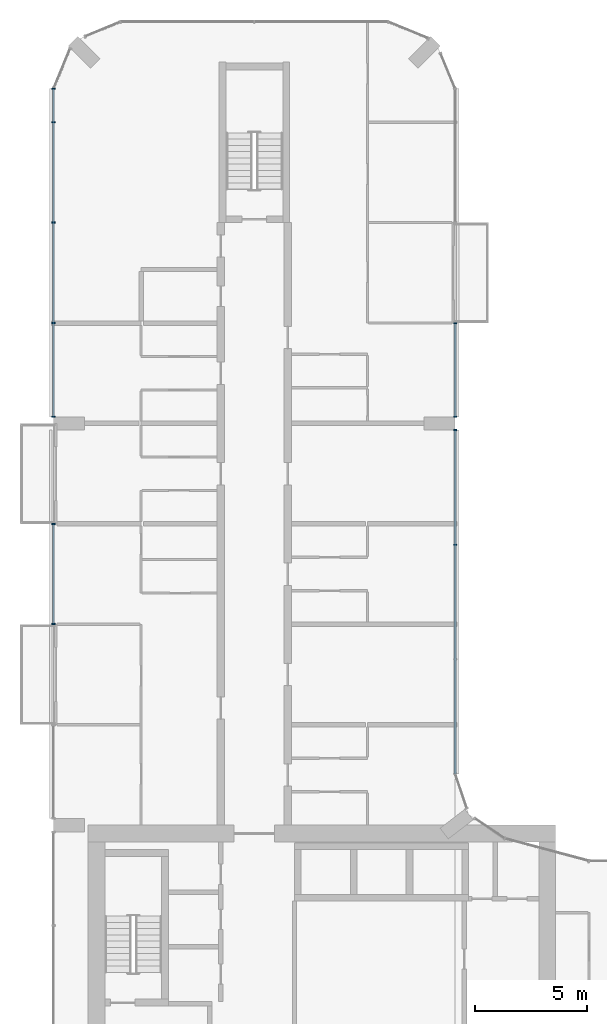
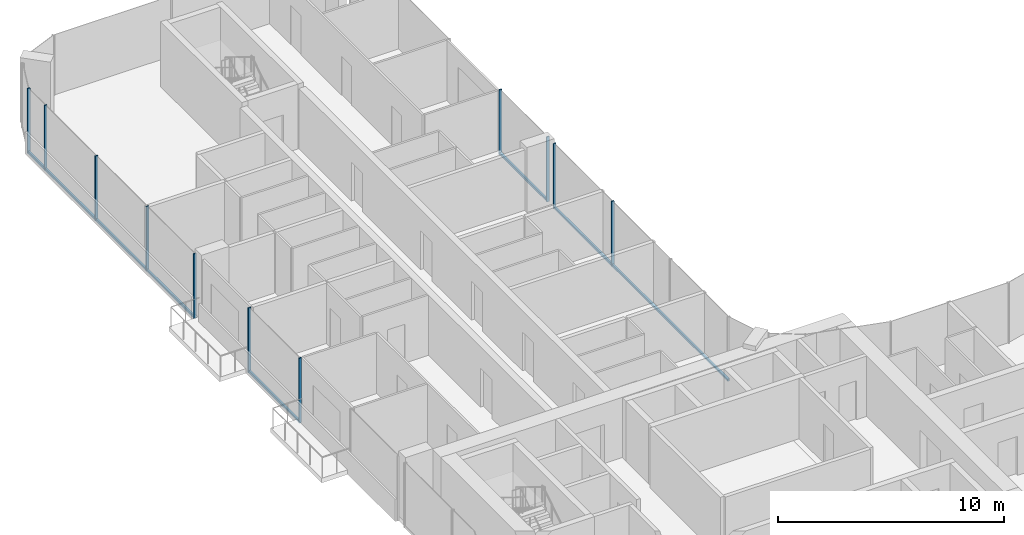
# One storey, part 6 of 24: 15 members, 4 elements without a shape of their own.
"""IFC4 building model written with IfcOpenShell, lengths in metres."""

from ifc_helpers import new_model, si_unit, direction, frame, origin, origin_2d, place, context, subcontext, project, spatial, rectangle, extrude, material, layer, layer_set, material_profile, profile_set, type_object, element, aggregate, save


model = new_model("IFC4")

# Units and contexts
model_context = context("Model", 3, precision=1e-05, world=origin(), true_north=direction((0.0, 1.0)))
body_context = subcontext(model_context, "Body", "Model", "MODEL_VIEW")
ifc_project = project(units=[si_unit("LENGTHUNIT", "METRE"), si_unit("AREAUNIT", "SQUARE_METRE"), si_unit("VOLUMEUNIT", "CUBIC_METRE"), si_unit("PLANEANGLEUNIT", "RADIAN"), si_unit("MASSUNIT", "GRAM", prefix="KILO")], contexts=[model_context])

# Site, building, storey
site_placement = place(None, origin())
site = spatial("IfcSite", under=ifc_project, at=site_placement, CompositionType="ELEMENT")
building_placement = place(site_placement, origin())
building = spatial("IfcBuilding", under=site, at=building_placement, Name="Plateau Cross Towers", CompositionType="ELEMENT")
storey_placement = place(building_placement, frame((0.0, 0.0, 44.300048828125)))
storey = spatial("IfcBuildingStorey", under=building, at=storey_placement, Name="L10", CompositionType="ELEMENT", Elevation=44.300048828125)

# Curtain wall, members
ifc_material_1 = material(Name="Dark low-iron glass", Category="glass")
ifc_layer = layer(ifc_material_1, 0.239990234375)
ifc_layer_set = layer_set([ifc_layer], Name="Dark low-iron glass")
curtain_wall_type = type_object("IfcCurtainWallType", Name="Curtain wall flush unitised CW-B", PredefinedType="NOTDEFINED", material=ifc_layer_set)
curtain_wall_1_placement = place(storey_placement, origin())
curtain_wall_1 = element("IfcCurtainWall", 1, at=curtain_wall_1_placement, inside=storey, type_object=curtain_wall_type, Name="ENV/A/L10/A180_203", PredefinedType="NOTDEFINED")
ifc_material_2 = material(Name="Black anodised aluminium", Category="aluminium")
ifc_material_profile_1 = material_profile(ifc_material_2, rectangle(XDim=0.06005859375, YDim=0.139892578125, at=origin_2d()), Name="MULLION 60x140")
ifc_profile_set_1 = profile_set([ifc_material_profile_1], Name="Black anodised aluminium")
member_type_1 = type_object("IfcMemberType", Name="Mullion 60x140 flush unitised", PredefinedType="MULLION", material=ifc_profile_set_1)
member_1_placement = place(storey_placement, frame((18.0, 30.5673828125, -0.25), z_axis=(0.0, 0.0, 1.0), x_axis=(0.0, 1.0, 0.0)))
member_1 = element("IfcMember", 2, at=member_1_placement, type_object=member_type_1, Name="CW-B mullion 3", PredefinedType="MULLION", context=body_context, shape_type="SweptSolid", body=[
    extrude(rectangle(XDim=0.06005859375, YDim=0.139892578125, at=origin_2d()), origin(), (0.0, 0.0, 1.0), 3.5),
])
member_2_placement = place(storey_placement, frame((18.0, 35.699951171875, -0.25), z_axis=(0.0, 0.0, 1.0), x_axis=(0.0, 1.0, 0.0)))
member_2 = element("IfcMember", 3, at=member_2_placement, type_object=member_type_1, Name="CW-B mullion 4", PredefinedType="MULLION", context=body_context, shape_type="SweptSolid", body=[
    extrude(rectangle(XDim=0.06005859375, YDim=0.139892578125, at=origin_2d()), origin(), (0.0, 0.0, 1.0), 3.5),
])

curtain_wall_2_placement = place(storey_placement, origin())
curtain_wall_2 = element("IfcCurtainWall", 4, at=curtain_wall_2_placement, inside=storey, type_object=curtain_wall_type, Name="ENV/A/L10/A180_363", PredefinedType="NOTDEFINED")
member_3_placement = place(storey_placement, frame((18.0, 36.300048828125, -0.25), z_axis=(0.0, 0.0, 1.0), x_axis=(0.0, 1.0, 0.0)))
member_3 = element("IfcMember", 5, at=member_3_placement, type_object=member_type_1, Name="CW-B mullion 1", PredefinedType="MULLION", context=body_context, shape_type="SweptSolid", body=[
    extrude(rectangle(XDim=0.06005859375, YDim=0.139892578125, at=origin_2d()), origin(), (0.0, 0.0, 1.0), 3.5),
])
member_4_placement = place(storey_placement, frame((18.0, 40.489990234375, -0.25), z_axis=(0.0, 0.0, 1.0), x_axis=(0.0, 1.0, 0.0)))
member_4 = element("IfcMember", 6, at=member_4_placement, type_object=member_type_1, Name="CW-B mullion 2", PredefinedType="MULLION", context=body_context, shape_type="SweptSolid", body=[
    extrude(rectangle(XDim=0.06005859375, YDim=0.139892578125, at=origin_2d()), origin(), (0.0, 0.0, 1.0), 3.5),
])

curtain_wall_3_placement = place(storey_placement, origin())
curtain_wall_3 = element("IfcCurtainWall", 7, at=curtain_wall_3_placement, inside=storey, type_object=curtain_wall_type, Name="ENV/A/L10/A0_510", PredefinedType="NOTDEFINED")
member_5_placement = place(storey_placement, frame((0.0, 51.0, -0.25), z_axis=(0.0, 0.0, 1.0), x_axis=(0.0, -1.0, 0.0)))
member_5 = element("IfcMember", 8, at=member_5_placement, type_object=member_type_1, Name="CW-B mullion 1", PredefinedType="MULLION", context=body_context, shape_type="SweptSolid", body=[
    extrude(rectangle(XDim=0.06005859375, YDim=0.139892578125, at=origin_2d()), origin(), (0.0, 0.0, 1.0), 3.5),
])
member_6_placement = place(storey_placement, frame((0.0, 49.5, -0.25), z_axis=(0.0, 0.0, 1.0), x_axis=(0.0, -1.0, 0.0)))
member_6 = element("IfcMember", 9, at=member_6_placement, type_object=member_type_1, Name="CW-B mullion 2", PredefinedType="MULLION", context=body_context, shape_type="SweptSolid", body=[
    extrude(rectangle(XDim=0.06005859375, YDim=0.139892578125, at=origin_2d()), origin(), (0.0, 0.0, 1.0), 3.5),
])
member_7_placement = place(storey_placement, frame((0.0, 45.0, -0.25), z_axis=(0.0, 0.0, 1.0), x_axis=(0.0, -1.0, 0.0)))
member_7 = element("IfcMember", 10, at=member_7_placement, type_object=member_type_1, Name="CW-B mullion 3", PredefinedType="MULLION", context=body_context, shape_type="SweptSolid", body=[
    extrude(rectangle(XDim=0.06005859375, YDim=0.139892578125, at=origin_2d()), origin(), (0.0, 0.0, 1.0), 3.5),
])
member_8_placement = place(storey_placement, frame((0.0, 40.5, -0.25), z_axis=(0.0, 0.0, 1.0), x_axis=(0.0, -1.0, 0.0)))
member_8 = element("IfcMember", 11, at=member_8_placement, type_object=member_type_1, Name="CW-B mullion 4", PredefinedType="MULLION", context=body_context, shape_type="SweptSolid", body=[
    extrude(rectangle(XDim=0.06005859375, YDim=0.139892578125, at=origin_2d()), origin(), (0.0, 0.0, 1.0), 3.5),
])
member_9_placement = place(storey_placement, frame((0.0, 36.300048828125, -0.25), z_axis=(0.0, 0.0, 1.0), x_axis=(0.0, -1.0, 0.0)))
member_9 = element("IfcMember", 12, at=member_9_placement, type_object=member_type_1, Name="CW-B mullion 5", PredefinedType="MULLION", context=body_context, shape_type="SweptSolid", body=[
    extrude(rectangle(XDim=0.06005859375, YDim=0.139892578125, at=origin_2d()), origin(), (0.0, 0.0, 1.0), 3.5),
])

curtain_wall_4_placement = place(storey_placement, origin())
curtain_wall_4 = element("IfcCurtainWall", 13, at=curtain_wall_4_placement, inside=storey, type_object=curtain_wall_type, Name="ENV/A/L10/A0_315", PredefinedType="NOTDEFINED")
member_10_placement = place(storey_placement, frame((0.0, 31.489990234375, -0.25), z_axis=(0.0, 0.0, 1.0), x_axis=(0.0, -1.0, 0.0)))
member_10 = element("IfcMember", 14, at=member_10_placement, type_object=member_type_1, Name="CW-B mullion 1", PredefinedType="MULLION", context=body_context, shape_type="SweptSolid", body=[
    extrude(rectangle(XDim=0.06005859375, YDim=0.139892578125, at=origin_2d()), origin(), (0.0, 0.0, 1.0), 3.5),
])
member_11_placement = place(storey_placement, frame((0.0, 27.010009765625, -0.25), z_axis=(0.0, 0.0, 1.0), x_axis=(0.0, -1.0, 0.0)))
member_11 = element("IfcMember", 15, at=member_11_placement, type_object=member_type_1, Name="CW-B mullion 2", PredefinedType="MULLION", context=body_context, shape_type="SweptSolid", body=[
    extrude(rectangle(XDim=0.06005859375, YDim=0.139892578125, at=origin_2d()), origin(), (0.0, 0.0, 1.0), 3.5),
])

# Member
ifc_material_profile_2 = material_profile(ifc_material_2, rectangle(XDim=0.10009765625, YDim=0.1201171875, at=origin_2d()), Name="TRANSOM 100x120")
ifc_profile_set_2 = profile_set([ifc_material_profile_2], Name="Black anodised aluminium")
member_type_2 = type_object("IfcMemberType", Name="Transom 100x120 flush unitised", PredefinedType="USERDEFINED", material=ifc_profile_set_2)
member_12_placement = place(storey_placement, frame((18.0, 20.30224609375, -0.18994140625), z_axis=(0.0, 1.0, 0.0), x_axis=(-1.0, 0.0, 0.0)))
member_12 = element("IfcMember", 16, at=member_12_placement, type_object=member_type_2, Name="CW-B transom", ObjectType="TRANSOM", PredefinedType="USERDEFINED", context=body_context, shape_type="SweptSolid", body=[
    extrude(rectangle(XDim=0.10009765625, YDim=0.1201171875, at=origin_2d()), origin(), (0.0, 0.0, 1.0), 15.397705078125),
])

aggregate(curtain_wall_1, [member_1, member_2, member_12])

member_13_placement = place(storey_placement, frame((18.0, 36.300048828125, -0.18994140625), z_axis=(0.0, 1.0, 0.0), x_axis=(-1.0, 0.0, 0.0)))
member_13 = element("IfcMember", 17, at=member_13_placement, type_object=member_type_2, Name="CW-B transom", ObjectType="TRANSOM", PredefinedType="USERDEFINED", context=body_context, shape_type="SweptSolid", body=[
    extrude(rectangle(XDim=0.10009765625, YDim=0.1201171875, at=origin_2d()), origin(), (0.0, 0.0, 1.0), 4.18994140625),
])

aggregate(curtain_wall_2, [member_3, member_4, member_13])

member_14_placement = place(storey_placement, frame((0.0, 51.0, -0.18994140625), z_axis=(0.0, -1.0, 0.0), x_axis=(1.0, 0.0, 0.0)))
member_14 = element("IfcMember", 18, at=member_14_placement, type_object=member_type_2, Name="CW-B transom", ObjectType="TRANSOM", PredefinedType="USERDEFINED", context=body_context, shape_type="SweptSolid", body=[
    extrude(rectangle(XDim=0.10009765625, YDim=0.1201171875, at=origin_2d()), origin(), (0.0, 0.0, 1.0), 14.699951171875),
])

aggregate(curtain_wall_3, [member_5, member_6, member_7, member_8, member_9, member_14])

member_15_placement = place(storey_placement, frame((0.0, 31.489990234375, -0.18994140625), z_axis=(0.0, -1.0, 0.0), x_axis=(1.0, 0.0, 0.0)))
member_15 = element("IfcMember", 19, at=member_15_placement, type_object=member_type_2, Name="CW-B transom", ObjectType="TRANSOM", PredefinedType="USERDEFINED", context=body_context, shape_type="SweptSolid", body=[
    extrude(rectangle(XDim=0.10009765625, YDim=0.1201171875, at=origin_2d()), origin(), (0.0, 0.0, 1.0), 4.47998046875),
])

aggregate(curtain_wall_4, [member_10, member_11, member_15])

save(model, "model.ifc")
